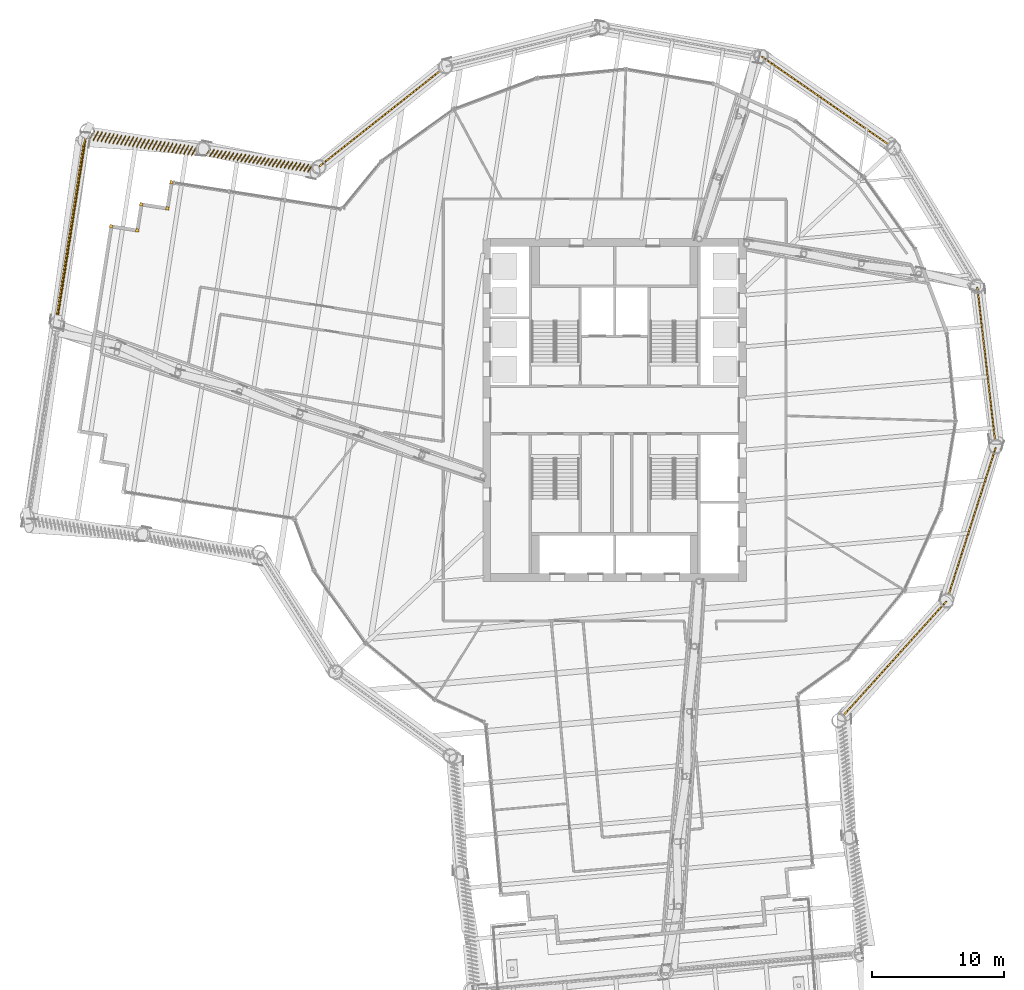
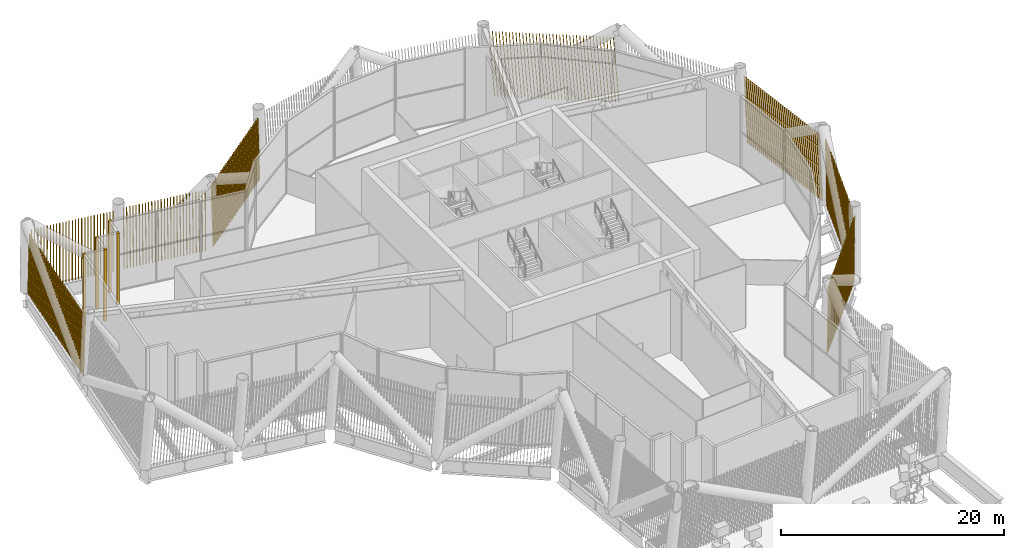
# One storey, part 52 of 55: 13 shading devices.
"""IFC4 building model written with IfcOpenShell, lengths in metres."""

from ifc_helpers import new_model, si_unit, direction, frame, frame_2d, origin, origin_2d, place, context, subcontext, project, spatial, rectangle, composite_profile, extrude, material, type_object, element, save


model = new_model("IFC4")

# Units and contexts
model_context = context("Model", 3, precision=1e-05, world=origin(), true_north=direction((0.0, 1.0)))
body_context = subcontext(model_context, "Body", "Model", "MODEL_VIEW")
ifc_project = project(units=[si_unit("LENGTHUNIT", "METRE"), si_unit("AREAUNIT", "SQUARE_METRE"), si_unit("VOLUMEUNIT", "CUBIC_METRE"), si_unit("PLANEANGLEUNIT", "RADIAN"), si_unit("MASSUNIT", "GRAM", prefix="KILO")], contexts=[model_context])

# Site, building, storey
site_placement = place(None, origin())
site = spatial("IfcSite", under=ifc_project, at=site_placement, CompositionType="ELEMENT")
building_placement = place(site_placement, origin())
building = spatial("IfcBuilding", under=site, at=building_placement, Name="Tarsis Ring Headquarters", CompositionType="ELEMENT")
storey_placement = place(building_placement, frame((0.0, 0.0, 247.199951171875)))
storey = spatial("IfcBuildingStorey", under=building, at=storey_placement, Name="L58", CompositionType="ELEMENT", Elevation=247.199951171875)

# Shading devices
ifc_material = material(Name="Terracotta baguette", Category="masonry")
shading_device_type_1 = type_object("IfcShadingDeviceType", Name="Terracotta baguette screen", PredefinedType="USERDEFINED", material=ifc_material)
shading_device_1_placement = place(storey_placement, frame((17.306640625, -23.203857421875, 0.0), z_axis=(0.0, 0.0, 1.0), x_axis=(0.670153659172, 0.742208525046, 0.0)))
element("IfcShadingDevice", 1, at=shading_device_1_placement, inside=storey, type_object=shading_device_type_1, Name="Baguette screen L58-07", ObjectType="Terracotta baguette screen", PredefinedType="USERDEFINED", context=body_context, shape_type="SweptSolid", body=[
    extrude(composite_profile([rectangle(XDim=0.06005859375, YDim=0.1201171875, at=frame_2d((0.030029296875, 0.0))), rectangle(XDim=0.06005859375, YDim=0.1201171875, at=frame_2d((0.33251953125, 0.0))), rectangle(XDim=0.06005859375, YDim=0.1201171875, at=frame_2d((0.634765625, 0.0))), rectangle(XDim=0.06005859375, YDim=0.1201171875, at=frame_2d((0.937255859375, 0.0))), rectangle(XDim=0.06005859375, YDim=0.1201171875, at=frame_2d((1.239501953125, 0.0))), rectangle(XDim=0.06005859375, YDim=0.1201171875, at=frame_2d((1.5419921875, 0.0))), rectangle(XDim=0.06005859375, YDim=0.1201171875, at=frame_2d((1.844482421875, 0.0))), rectangle(XDim=0.06005859375, YDim=0.1201171875, at=frame_2d((2.146728515625, 0.0))), rectangle(XDim=0.06005859375, YDim=0.1201171875, at=frame_2d((2.44921875, 0.0))), rectangle(XDim=0.06005859375, YDim=0.1201171875, at=frame_2d((2.751708984375, 0.0))), rectangle(XDim=0.06005859375, YDim=0.1201171875, at=frame_2d((3.053955078125, 0.0))), rectangle(XDim=0.06005859375, YDim=0.1201171875, at=frame_2d((3.3564453125, 0.0))), rectangle(XDim=0.06005859375, YDim=0.1201171875, at=frame_2d((3.65869140625, 0.0))), rectangle(XDim=0.06005859375, YDim=0.1201171875, at=frame_2d((3.961181640625, 0.0))), rectangle(XDim=0.06005859375, YDim=0.1201171875, at=frame_2d((4.263671875, 0.0))), rectangle(XDim=0.06005859375, YDim=0.1201171875, at=frame_2d((4.56591796875, 0.0))), rectangle(XDim=0.06005859375, YDim=0.1201171875, at=frame_2d((4.868408203125, 0.0))), rectangle(XDim=0.06005859375, YDim=0.1201171875, at=frame_2d((5.1708984375, 0.0))), rectangle(XDim=0.06005859375, YDim=0.1201171875, at=frame_2d((5.47314453125, 0.0))), rectangle(XDim=0.06005859375, YDim=0.1201171875, at=frame_2d((5.775634765625, 0.0))), rectangle(XDim=0.06005859375, YDim=0.1201171875, at=frame_2d((6.077880859375, 0.0))), rectangle(XDim=0.06005859375, YDim=0.1201171875, at=frame_2d((6.38037109375, 0.0))), rectangle(XDim=0.06005859375, YDim=0.1201171875, at=frame_2d((6.682861328125, 0.0))), rectangle(XDim=0.06005859375, YDim=0.1201171875, at=frame_2d((6.985107421875, 0.0))), rectangle(XDim=0.06005859375, YDim=0.1201171875, at=frame_2d((7.28759765625, 0.0))), rectangle(XDim=0.06005859375, YDim=0.1201171875, at=frame_2d((7.590087890625, 0.0))), rectangle(XDim=0.06005859375, YDim=0.1201171875, at=frame_2d((7.892333984375, 0.0))), rectangle(XDim=0.06005859375, YDim=0.1201171875, at=frame_2d((8.19482421875, 0.0))), rectangle(XDim=0.06005859375, YDim=0.1201171875, at=frame_2d((8.4970703125, 0.0))), rectangle(XDim=0.06005859375, YDim=0.1201171875, at=frame_2d((8.799560546875, 0.0))), rectangle(XDim=0.06005859375, YDim=0.1201171875, at=frame_2d((9.10205078125, 0.0))), rectangle(XDim=0.06005859375, YDim=0.1201171875, at=frame_2d((9.404296875, 0.0))), rectangle(XDim=0.06005859375, YDim=0.1201171875, at=frame_2d((9.706787109375, 0.0))), rectangle(XDim=0.06005859375, YDim=0.1201171875, at=frame_2d((10.00927734375, 0.0))), rectangle(XDim=0.06005859375, YDim=0.1201171875, at=frame_2d((10.3115234375, 0.0))), rectangle(XDim=0.06005859375, YDim=0.1201171875, at=frame_2d((10.614013671875, 0.0))), rectangle(XDim=0.06005859375, YDim=0.1201171875, at=frame_2d((10.916259765625, 0.0))), rectangle(XDim=0.06005859375, YDim=0.1201171875, at=frame_2d((11.21875, 0.0)))]), origin(), (0.06994358039, 0.000611198067, 0.997550761615), 7.085205078125),
])
shading_device_2_placement = place(storey_placement, frame((25.33251953125, -14.00732421875, 0.0), z_axis=(0.0, 0.0, 1.0), x_axis=(0.304633749322, 0.952468800868, 0.0)))
element("IfcShadingDevice", 2, at=shading_device_2_placement, inside=storey, type_object=shading_device_type_1, Name="Baguette screen L58-08", ObjectType="Terracotta baguette screen", PredefinedType="USERDEFINED", context=body_context, shape_type="SweptSolid", body=[
    extrude(composite_profile([rectangle(XDim=0.06005859375, YDim=0.1201171875, at=frame_2d((0.030029296875, 0.0))), rectangle(XDim=0.06005859375, YDim=0.1201171875, at=frame_2d((0.33251953125, 0.0))), rectangle(XDim=0.06005859375, YDim=0.1201171875, at=frame_2d((0.634765625, 0.0))), rectangle(XDim=0.06005859375, YDim=0.1201171875, at=frame_2d((0.937255859375, 0.0))), rectangle(XDim=0.06005859375, YDim=0.1201171875, at=frame_2d((1.239501953125, 0.0))), rectangle(XDim=0.06005859375, YDim=0.1201171875, at=frame_2d((1.5419921875, 0.0))), rectangle(XDim=0.06005859375, YDim=0.1201171875, at=frame_2d((1.844482421875, 0.0))), rectangle(XDim=0.06005859375, YDim=0.1201171875, at=frame_2d((2.146728515625, 0.0))), rectangle(XDim=0.06005859375, YDim=0.1201171875, at=frame_2d((2.44921875, 0.0))), rectangle(XDim=0.06005859375, YDim=0.1201171875, at=frame_2d((2.751708984375, 0.0))), rectangle(XDim=0.06005859375, YDim=0.1201171875, at=frame_2d((3.053955078125, 0.0))), rectangle(XDim=0.06005859375, YDim=0.1201171875, at=frame_2d((3.3564453125, 0.0))), rectangle(XDim=0.06005859375, YDim=0.1201171875, at=frame_2d((3.65869140625, 0.0))), rectangle(XDim=0.06005859375, YDim=0.1201171875, at=frame_2d((3.961181640625, 0.0))), rectangle(XDim=0.06005859375, YDim=0.1201171875, at=frame_2d((4.263671875, 0.0))), rectangle(XDim=0.06005859375, YDim=0.1201171875, at=frame_2d((4.56591796875, 0.0))), rectangle(XDim=0.06005859375, YDim=0.1201171875, at=frame_2d((4.868408203125, 0.0))), rectangle(XDim=0.06005859375, YDim=0.1201171875, at=frame_2d((5.1708984375, 0.0))), rectangle(XDim=0.06005859375, YDim=0.1201171875, at=frame_2d((5.47314453125, 0.0))), rectangle(XDim=0.06005859375, YDim=0.1201171875, at=frame_2d((5.775634765625, 0.0))), rectangle(XDim=0.06005859375, YDim=0.1201171875, at=frame_2d((6.077880859375, 0.0))), rectangle(XDim=0.06005859375, YDim=0.1201171875, at=frame_2d((6.38037109375, 0.0))), rectangle(XDim=0.06005859375, YDim=0.1201171875, at=frame_2d((6.682861328125, 0.0))), rectangle(XDim=0.06005859375, YDim=0.1201171875, at=frame_2d((6.985107421875, 0.0))), rectangle(XDim=0.06005859375, YDim=0.1201171875, at=frame_2d((7.28759765625, 0.0))), rectangle(XDim=0.06005859375, YDim=0.1201171875, at=frame_2d((7.590087890625, 0.0))), rectangle(XDim=0.06005859375, YDim=0.1201171875, at=frame_2d((7.892333984375, 0.0))), rectangle(XDim=0.06005859375, YDim=0.1201171875, at=frame_2d((8.19482421875, 0.0))), rectangle(XDim=0.06005859375, YDim=0.1201171875, at=frame_2d((8.4970703125, 0.0))), rectangle(XDim=0.06005859375, YDim=0.1201171875, at=frame_2d((8.799560546875, 0.0))), rectangle(XDim=0.06005859375, YDim=0.1201171875, at=frame_2d((9.10205078125, 0.0))), rectangle(XDim=0.06005859375, YDim=0.1201171875, at=frame_2d((9.404296875, 0.0))), rectangle(XDim=0.06005859375, YDim=0.1201171875, at=frame_2d((9.706787109375, 0.0))), rectangle(XDim=0.06005859375, YDim=0.1201171875, at=frame_2d((10.00927734375, 0.0))), rectangle(XDim=0.06005859375, YDim=0.1201171875, at=frame_2d((10.3115234375, 0.0))), rectangle(XDim=0.06005859375, YDim=0.1201171875, at=frame_2d((10.614013671875, 0.0))), rectangle(XDim=0.06005859375, YDim=0.1201171875, at=frame_2d((10.916259765625, 0.0))), rectangle(XDim=0.06005859375, YDim=0.1201171875, at=frame_2d((11.21875, 0.0)))]), origin(), (0.069944200062, 0.000610165969, 0.997550718798), 7.085205078125),
])
shading_device_3_placement = place(storey_placement, frame((28.85400390625, -2.3203125, 0.0), z_axis=(0.0, 0.0, 1.0), x_axis=(-0.115029842648, 0.993358654368, 0.0)))
element("IfcShadingDevice", 3, at=shading_device_3_placement, inside=storey, type_object=shading_device_type_1, Name="Baguette screen L58-09", ObjectType="Terracotta baguette screen", PredefinedType="USERDEFINED", context=body_context, shape_type="SweptSolid", body=[
    extrude(composite_profile([rectangle(XDim=0.06005859375, YDim=0.1201171875, at=frame_2d((0.030029296875, 0.0))), rectangle(XDim=0.06005859375, YDim=0.1201171875, at=frame_2d((0.33251953125, 0.0))), rectangle(XDim=0.06005859375, YDim=0.1201171875, at=frame_2d((0.634765625, 0.0))), rectangle(XDim=0.06005859375, YDim=0.1201171875, at=frame_2d((0.937255859375, 0.0))), rectangle(XDim=0.06005859375, YDim=0.1201171875, at=frame_2d((1.239501953125, 0.0))), rectangle(XDim=0.06005859375, YDim=0.1201171875, at=frame_2d((1.5419921875, 0.0))), rectangle(XDim=0.06005859375, YDim=0.1201171875, at=frame_2d((1.844482421875, 0.0))), rectangle(XDim=0.06005859375, YDim=0.1201171875, at=frame_2d((2.146728515625, 0.0))), rectangle(XDim=0.06005859375, YDim=0.1201171875, at=frame_2d((2.44921875, 0.0))), rectangle(XDim=0.06005859375, YDim=0.1201171875, at=frame_2d((2.751708984375, 0.0))), rectangle(XDim=0.06005859375, YDim=0.1201171875, at=frame_2d((3.053955078125, 0.0))), rectangle(XDim=0.06005859375, YDim=0.1201171875, at=frame_2d((3.3564453125, 0.0))), rectangle(XDim=0.06005859375, YDim=0.1201171875, at=frame_2d((3.65869140625, 0.0))), rectangle(XDim=0.06005859375, YDim=0.1201171875, at=frame_2d((3.961181640625, 0.0))), rectangle(XDim=0.06005859375, YDim=0.1201171875, at=frame_2d((4.263671875, 0.0))), rectangle(XDim=0.06005859375, YDim=0.1201171875, at=frame_2d((4.56591796875, 0.0))), rectangle(XDim=0.06005859375, YDim=0.1201171875, at=frame_2d((4.868408203125, 0.0))), rectangle(XDim=0.06005859375, YDim=0.1201171875, at=frame_2d((5.1708984375, 0.0))), rectangle(XDim=0.06005859375, YDim=0.1201171875, at=frame_2d((5.47314453125, 0.0))), rectangle(XDim=0.06005859375, YDim=0.1201171875, at=frame_2d((5.775634765625, 0.0))), rectangle(XDim=0.06005859375, YDim=0.1201171875, at=frame_2d((6.077880859375, 0.0))), rectangle(XDim=0.06005859375, YDim=0.1201171875, at=frame_2d((6.38037109375, 0.0))), rectangle(XDim=0.06005859375, YDim=0.1201171875, at=frame_2d((6.682861328125, 0.0))), rectangle(XDim=0.06005859375, YDim=0.1201171875, at=frame_2d((6.985107421875, 0.0))), rectangle(XDim=0.06005859375, YDim=0.1201171875, at=frame_2d((7.28759765625, 0.0))), rectangle(XDim=0.06005859375, YDim=0.1201171875, at=frame_2d((7.590087890625, 0.0))), rectangle(XDim=0.06005859375, YDim=0.1201171875, at=frame_2d((7.892333984375, 0.0))), rectangle(XDim=0.06005859375, YDim=0.1201171875, at=frame_2d((8.19482421875, 0.0))), rectangle(XDim=0.06005859375, YDim=0.1201171875, at=frame_2d((8.4970703125, 0.0))), rectangle(XDim=0.06005859375, YDim=0.1201171875, at=frame_2d((8.799560546875, 0.0))), rectangle(XDim=0.06005859375, YDim=0.1201171875, at=frame_2d((9.10205078125, 0.0))), rectangle(XDim=0.06005859375, YDim=0.1201171875, at=frame_2d((9.404296875, 0.0))), rectangle(XDim=0.06005859375, YDim=0.1201171875, at=frame_2d((9.706787109375, 0.0))), rectangle(XDim=0.06005859375, YDim=0.1201171875, at=frame_2d((10.00927734375, 0.0))), rectangle(XDim=0.06005859375, YDim=0.1201171875, at=frame_2d((10.3115234375, 0.0))), rectangle(XDim=0.06005859375, YDim=0.1201171875, at=frame_2d((10.614013671875, 0.0))), rectangle(XDim=0.06005859375, YDim=0.1201171875, at=frame_2d((10.916259765625, 0.0))), rectangle(XDim=0.06005859375, YDim=0.1201171875, at=frame_2d((11.21875, 0.0)))]), origin(), (0.069943903573, 0.00061144422, 0.997550738804), 7.085205078125),
])
shading_device_4_placement = place(storey_placement, frame((20.792236328125, 20.14013671875, 0.0), z_axis=(0.0, 0.0, 1.0), x_axis=(-0.822054865874, 0.569407066586, 0.0)))
element("IfcShadingDevice", 4, at=shading_device_4_placement, inside=storey, type_object=shading_device_type_1, Name="Baguette screen L58-11", ObjectType="Terracotta baguette screen", PredefinedType="USERDEFINED", context=body_context, shape_type="SweptSolid", body=[
    extrude(composite_profile([rectangle(XDim=0.06005859375, YDim=0.1201171875, at=frame_2d((0.030029296875, 0.0))), rectangle(XDim=0.06005859375, YDim=0.1201171875, at=frame_2d((0.33251953125, 0.0))), rectangle(XDim=0.06005859375, YDim=0.1201171875, at=frame_2d((0.634765625, 0.0))), rectangle(XDim=0.06005859375, YDim=0.1201171875, at=frame_2d((0.937255859375, 0.0))), rectangle(XDim=0.06005859375, YDim=0.1201171875, at=frame_2d((1.239501953125, 0.0))), rectangle(XDim=0.06005859375, YDim=0.1201171875, at=frame_2d((1.5419921875, 0.0))), rectangle(XDim=0.06005859375, YDim=0.1201171875, at=frame_2d((1.844482421875, 0.0))), rectangle(XDim=0.06005859375, YDim=0.1201171875, at=frame_2d((2.146728515625, 0.0))), rectangle(XDim=0.06005859375, YDim=0.1201171875, at=frame_2d((2.44921875, 0.0))), rectangle(XDim=0.06005859375, YDim=0.1201171875, at=frame_2d((2.751708984375, 0.0))), rectangle(XDim=0.06005859375, YDim=0.1201171875, at=frame_2d((3.053955078125, 0.0))), rectangle(XDim=0.06005859375, YDim=0.1201171875, at=frame_2d((3.3564453125, 0.0))), rectangle(XDim=0.06005859375, YDim=0.1201171875, at=frame_2d((3.65869140625, 0.0))), rectangle(XDim=0.06005859375, YDim=0.1201171875, at=frame_2d((3.961181640625, 0.0))), rectangle(XDim=0.06005859375, YDim=0.1201171875, at=frame_2d((4.263671875, 0.0))), rectangle(XDim=0.06005859375, YDim=0.1201171875, at=frame_2d((4.56591796875, 0.0))), rectangle(XDim=0.06005859375, YDim=0.1201171875, at=frame_2d((4.868408203125, 0.0))), rectangle(XDim=0.06005859375, YDim=0.1201171875, at=frame_2d((5.1708984375, 0.0))), rectangle(XDim=0.06005859375, YDim=0.1201171875, at=frame_2d((5.47314453125, 0.0))), rectangle(XDim=0.06005859375, YDim=0.1201171875, at=frame_2d((5.775634765625, 0.0))), rectangle(XDim=0.06005859375, YDim=0.1201171875, at=frame_2d((6.077880859375, 0.0))), rectangle(XDim=0.06005859375, YDim=0.1201171875, at=frame_2d((6.38037109375, 0.0))), rectangle(XDim=0.06005859375, YDim=0.1201171875, at=frame_2d((6.682861328125, 0.0))), rectangle(XDim=0.06005859375, YDim=0.1201171875, at=frame_2d((6.985107421875, 0.0))), rectangle(XDim=0.06005859375, YDim=0.1201171875, at=frame_2d((7.28759765625, 0.0))), rectangle(XDim=0.06005859375, YDim=0.1201171875, at=frame_2d((7.590087890625, 0.0))), rectangle(XDim=0.06005859375, YDim=0.1201171875, at=frame_2d((7.892333984375, 0.0))), rectangle(XDim=0.06005859375, YDim=0.1201171875, at=frame_2d((8.19482421875, 0.0))), rectangle(XDim=0.06005859375, YDim=0.1201171875, at=frame_2d((8.4970703125, 0.0))), rectangle(XDim=0.06005859375, YDim=0.1201171875, at=frame_2d((8.799560546875, 0.0))), rectangle(XDim=0.06005859375, YDim=0.1201171875, at=frame_2d((9.10205078125, 0.0))), rectangle(XDim=0.06005859375, YDim=0.1201171875, at=frame_2d((9.404296875, 0.0))), rectangle(XDim=0.06005859375, YDim=0.1201171875, at=frame_2d((9.706787109375, 0.0))), rectangle(XDim=0.06005859375, YDim=0.1201171875, at=frame_2d((10.00927734375, 0.0))), rectangle(XDim=0.06005859375, YDim=0.1201171875, at=frame_2d((10.3115234375, 0.0))), rectangle(XDim=0.06005859375, YDim=0.1201171875, at=frame_2d((10.614013671875, 0.0))), rectangle(XDim=0.06005859375, YDim=0.1201171875, at=frame_2d((10.916259765625, 0.0))), rectangle(XDim=0.06005859375, YDim=0.1201171875, at=frame_2d((11.21875, 0.0)))]), origin(), (0.069944178932, 0.000610629777, 0.997550719996), 7.085205078125),
])
shading_device_5_placement = place(storey_placement, frame((-13.193359375, 25.765869140625, 0.0), z_axis=(0.0, 0.0, 1.0), x_axis=(-0.784573313656, -0.620040802153, 0.0)))
element("IfcShadingDevice", 5, at=shading_device_5_placement, inside=storey, type_object=shading_device_type_1, Name="Baguette screen L58-14", ObjectType="Terracotta baguette screen", PredefinedType="USERDEFINED", context=body_context, shape_type="SweptSolid", body=[
    extrude(composite_profile([rectangle(XDim=0.06005859375, YDim=0.1201171875, at=frame_2d((0.030029296875, 0.0))), rectangle(XDim=0.06005859375, YDim=0.1201171875, at=frame_2d((0.33251953125, 0.0))), rectangle(XDim=0.06005859375, YDim=0.1201171875, at=frame_2d((0.634765625, 0.0))), rectangle(XDim=0.06005859375, YDim=0.1201171875, at=frame_2d((0.937255859375, 0.0))), rectangle(XDim=0.06005859375, YDim=0.1201171875, at=frame_2d((1.239501953125, 0.0))), rectangle(XDim=0.06005859375, YDim=0.1201171875, at=frame_2d((1.5419921875, 0.0))), rectangle(XDim=0.06005859375, YDim=0.1201171875, at=frame_2d((1.844482421875, 0.0))), rectangle(XDim=0.06005859375, YDim=0.1201171875, at=frame_2d((2.146728515625, 0.0))), rectangle(XDim=0.06005859375, YDim=0.1201171875, at=frame_2d((2.44921875, 0.0))), rectangle(XDim=0.06005859375, YDim=0.1201171875, at=frame_2d((2.751708984375, 0.0))), rectangle(XDim=0.06005859375, YDim=0.1201171875, at=frame_2d((3.053955078125, 0.0))), rectangle(XDim=0.06005859375, YDim=0.1201171875, at=frame_2d((3.3564453125, 0.0))), rectangle(XDim=0.06005859375, YDim=0.1201171875, at=frame_2d((3.65869140625, 0.0))), rectangle(XDim=0.06005859375, YDim=0.1201171875, at=frame_2d((3.961181640625, 0.0))), rectangle(XDim=0.06005859375, YDim=0.1201171875, at=frame_2d((4.263671875, 0.0))), rectangle(XDim=0.06005859375, YDim=0.1201171875, at=frame_2d((4.56591796875, 0.0))), rectangle(XDim=0.06005859375, YDim=0.1201171875, at=frame_2d((4.868408203125, 0.0))), rectangle(XDim=0.06005859375, YDim=0.1201171875, at=frame_2d((5.1708984375, 0.0))), rectangle(XDim=0.06005859375, YDim=0.1201171875, at=frame_2d((5.47314453125, 0.0))), rectangle(XDim=0.06005859375, YDim=0.1201171875, at=frame_2d((5.775634765625, 0.0))), rectangle(XDim=0.06005859375, YDim=0.1201171875, at=frame_2d((6.077880859375, 0.0))), rectangle(XDim=0.06005859375, YDim=0.1201171875, at=frame_2d((6.38037109375, 0.0))), rectangle(XDim=0.06005859375, YDim=0.1201171875, at=frame_2d((6.682861328125, 0.0))), rectangle(XDim=0.06005859375, YDim=0.1201171875, at=frame_2d((6.985107421875, 0.0))), rectangle(XDim=0.06005859375, YDim=0.1201171875, at=frame_2d((7.28759765625, 0.0))), rectangle(XDim=0.06005859375, YDim=0.1201171875, at=frame_2d((7.590087890625, 0.0))), rectangle(XDim=0.06005859375, YDim=0.1201171875, at=frame_2d((7.892333984375, 0.0))), rectangle(XDim=0.06005859375, YDim=0.1201171875, at=frame_2d((8.19482421875, 0.0))), rectangle(XDim=0.06005859375, YDim=0.1201171875, at=frame_2d((8.4970703125, 0.0))), rectangle(XDim=0.06005859375, YDim=0.1201171875, at=frame_2d((8.799560546875, 0.0))), rectangle(XDim=0.06005859375, YDim=0.1201171875, at=frame_2d((9.10205078125, 0.0))), rectangle(XDim=0.06005859375, YDim=0.1201171875, at=frame_2d((9.404296875, 0.0))), rectangle(XDim=0.06005859375, YDim=0.1201171875, at=frame_2d((9.706787109375, 0.0))), rectangle(XDim=0.06005859375, YDim=0.1201171875, at=frame_2d((10.00927734375, 0.0))), rectangle(XDim=0.06005859375, YDim=0.1201171875, at=frame_2d((10.3115234375, 0.0))), rectangle(XDim=0.06005859375, YDim=0.1201171875, at=frame_2d((10.614013671875, 0.0))), rectangle(XDim=0.06005859375, YDim=0.1201171875, at=frame_2d((10.916259765625, 0.0))), rectangle(XDim=0.06005859375, YDim=0.1201171875, at=frame_2d((11.21875, 0.0)))]), origin(), (0.069944575479, 0.000610071454, 0.997550692533), 7.085205078125),
])
shading_device_6_placement = place(storey_placement, frame((-22.9052734375, 18.558349609375, 0.0), z_axis=(0.0, 0.0, 1.0), x_axis=(-0.9880128522, 0.154349975284, 0.0)))
element("IfcShadingDevice", 6, at=shading_device_6_placement, inside=storey, type_object=shading_device_type_1, Name="Baguette screen L58-15", ObjectType="Terracotta baguette screen", PredefinedType="USERDEFINED", context=body_context, shape_type="SweptSolid", body=[
    extrude(composite_profile([rectangle(XDim=0.06005859375, YDim=0.1201171875, at=frame_2d((0.030029296875, 0.0))), rectangle(XDim=0.06005859375, YDim=0.1201171875, at=frame_2d((0.33154296875, 0.0))), rectangle(XDim=0.06005859375, YDim=0.1201171875, at=frame_2d((0.63330078125, 0.0))), rectangle(XDim=0.06005859375, YDim=0.1201171875, at=frame_2d((0.934814453125, 0.0))), rectangle(XDim=0.06005859375, YDim=0.1201171875, at=frame_2d((1.236572265625, 0.0))), rectangle(XDim=0.06005859375, YDim=0.1201171875, at=frame_2d((1.5380859375, 0.0))), rectangle(XDim=0.06005859375, YDim=0.1201171875, at=frame_2d((1.83984375, 0.0))), rectangle(XDim=0.06005859375, YDim=0.1201171875, at=frame_2d((2.141357421875, 0.0))), rectangle(XDim=0.06005859375, YDim=0.1201171875, at=frame_2d((2.443115234375, 0.0))), rectangle(XDim=0.06005859375, YDim=0.1201171875, at=frame_2d((2.74462890625, 0.0))), rectangle(XDim=0.06005859375, YDim=0.1201171875, at=frame_2d((3.04638671875, 0.0))), rectangle(XDim=0.06005859375, YDim=0.1201171875, at=frame_2d((3.347900390625, 0.0))), rectangle(XDim=0.06005859375, YDim=0.1201171875, at=frame_2d((3.649658203125, 0.0))), rectangle(XDim=0.06005859375, YDim=0.1201171875, at=frame_2d((3.951171875, 0.0))), rectangle(XDim=0.06005859375, YDim=0.1201171875, at=frame_2d((4.252685546875, 0.0))), rectangle(XDim=0.06005859375, YDim=0.1201171875, at=frame_2d((4.554443359375, 0.0))), rectangle(XDim=0.06005859375, YDim=0.1201171875, at=frame_2d((4.85595703125, 0.0))), rectangle(XDim=0.06005859375, YDim=0.1201171875, at=frame_2d((5.15771484375, 0.0))), rectangle(XDim=0.06005859375, YDim=0.1201171875, at=frame_2d((5.459228515625, 0.0))), rectangle(XDim=0.06005859375, YDim=0.1201171875, at=frame_2d((5.760986328125, 0.0))), rectangle(XDim=0.06005859375, YDim=0.1201171875, at=frame_2d((6.0625, 0.0))), rectangle(XDim=0.06005859375, YDim=0.1201171875, at=frame_2d((6.3642578125, 0.0))), rectangle(XDim=0.06005859375, YDim=0.1201171875, at=frame_2d((6.665771484375, 0.0))), rectangle(XDim=0.06005859375, YDim=0.1201171875, at=frame_2d((6.967529296875, 0.0))), rectangle(XDim=0.06005859375, YDim=0.1201171875, at=frame_2d((7.26904296875, 0.0))), rectangle(XDim=0.06005859375, YDim=0.1201171875, at=frame_2d((7.57080078125, 0.0))), rectangle(XDim=0.06005859375, YDim=0.1201171875, at=frame_2d((7.872314453125, 0.0)))]), origin(), (0.035793271927, 0.072788855802, 0.99670488318), 7.09130859375),
])
shading_device_7_placement = place(storey_placement, frame((-31.700927734375, 19.932373046875, 0.0), z_axis=(0.0, 0.0, 1.0), x_axis=(-0.988012481849, 0.154385639695, 0.0)))
element("IfcShadingDevice", 7, at=shading_device_7_placement, inside=storey, type_object=shading_device_type_1, Name="Baguette screen L58-16", ObjectType="Terracotta baguette screen", PredefinedType="USERDEFINED", context=body_context, shape_type="SweptSolid", body=[
    extrude(composite_profile([rectangle(XDim=0.06005859375, YDim=0.1201171875, at=frame_2d((0.030029296875, 0.0))), rectangle(XDim=0.06005859375, YDim=0.1201171875, at=frame_2d((0.33154296875, 0.0))), rectangle(XDim=0.06005859375, YDim=0.1201171875, at=frame_2d((0.63330078125, 0.0))), rectangle(XDim=0.06005859375, YDim=0.1201171875, at=frame_2d((0.934814453125, 0.0))), rectangle(XDim=0.06005859375, YDim=0.1201171875, at=frame_2d((1.236572265625, 0.0))), rectangle(XDim=0.06005859375, YDim=0.1201171875, at=frame_2d((1.5380859375, 0.0))), rectangle(XDim=0.06005859375, YDim=0.1201171875, at=frame_2d((1.83984375, 0.0))), rectangle(XDim=0.06005859375, YDim=0.1201171875, at=frame_2d((2.141357421875, 0.0))), rectangle(XDim=0.06005859375, YDim=0.1201171875, at=frame_2d((2.443115234375, 0.0))), rectangle(XDim=0.06005859375, YDim=0.1201171875, at=frame_2d((2.74462890625, 0.0))), rectangle(XDim=0.06005859375, YDim=0.1201171875, at=frame_2d((3.04638671875, 0.0))), rectangle(XDim=0.06005859375, YDim=0.1201171875, at=frame_2d((3.347900390625, 0.0))), rectangle(XDim=0.06005859375, YDim=0.1201171875, at=frame_2d((3.649658203125, 0.0))), rectangle(XDim=0.06005859375, YDim=0.1201171875, at=frame_2d((3.951171875, 0.0))), rectangle(XDim=0.06005859375, YDim=0.1201171875, at=frame_2d((4.252685546875, 0.0))), rectangle(XDim=0.06005859375, YDim=0.1201171875, at=frame_2d((4.554443359375, 0.0))), rectangle(XDim=0.06005859375, YDim=0.1201171875, at=frame_2d((4.85595703125, 0.0))), rectangle(XDim=0.06005859375, YDim=0.1201171875, at=frame_2d((5.15771484375, 0.0))), rectangle(XDim=0.06005859375, YDim=0.1201171875, at=frame_2d((5.459228515625, 0.0))), rectangle(XDim=0.06005859375, YDim=0.1201171875, at=frame_2d((5.760986328125, 0.0))), rectangle(XDim=0.06005859375, YDim=0.1201171875, at=frame_2d((6.0625, 0.0))), rectangle(XDim=0.06005859375, YDim=0.1201171875, at=frame_2d((6.3642578125, 0.0))), rectangle(XDim=0.06005859375, YDim=0.1201171875, at=frame_2d((6.665771484375, 0.0))), rectangle(XDim=0.06005859375, YDim=0.1201171875, at=frame_2d((6.967529296875, 0.0))), rectangle(XDim=0.06005859375, YDim=0.1201171875, at=frame_2d((7.26904296875, 0.0))), rectangle(XDim=0.06005859375, YDim=0.1201171875, at=frame_2d((7.57080078125, 0.0))), rectangle(XDim=0.06005859375, YDim=0.1201171875, at=frame_2d((7.872314453125, 0.0)))]), origin(), (0.035534271557, 0.094527444491, 0.994887871965), 7.104248046875),
])
shading_device_8_placement = place(storey_placement, frame((-40.07958984375, 20.7353515625, 0.0), z_axis=(0.0, 0.0, 1.0), x_axis=(-0.154359210247, -0.988022786781, 0.0)))
element("IfcShadingDevice", 8, at=shading_device_8_placement, inside=storey, type_object=shading_device_type_1, Name="Baguette screen L58-17", ObjectType="Terracotta baguette screen", PredefinedType="USERDEFINED", context=body_context, shape_type="SweptSolid", body=[
    extrude(composite_profile([rectangle(XDim=0.06005859375, YDim=0.1201171875, at=frame_2d((0.030029296875, 0.0))), rectangle(XDim=0.06005859375, YDim=0.1201171875, at=frame_2d((0.33544921875, 0.0))), rectangle(XDim=0.06005859375, YDim=0.1201171875, at=frame_2d((0.640625, 0.0))), rectangle(XDim=0.06005859375, YDim=0.1201171875, at=frame_2d((0.946044921875, 0.0))), rectangle(XDim=0.06005859375, YDim=0.1201171875, at=frame_2d((1.25146484375, 0.0))), rectangle(XDim=0.06005859375, YDim=0.1201171875, at=frame_2d((1.556640625, 0.0))), rectangle(XDim=0.06005859375, YDim=0.1201171875, at=frame_2d((1.862060546875, 0.0))), rectangle(XDim=0.06005859375, YDim=0.1201171875, at=frame_2d((2.16748046875, 0.0))), rectangle(XDim=0.06005859375, YDim=0.1201171875, at=frame_2d((2.47265625, 0.0))), rectangle(XDim=0.06005859375, YDim=0.1201171875, at=frame_2d((2.778076171875, 0.0))), rectangle(XDim=0.06005859375, YDim=0.1201171875, at=frame_2d((3.08349609375, 0.0))), rectangle(XDim=0.06005859375, YDim=0.1201171875, at=frame_2d((3.388671875, 0.0))), rectangle(XDim=0.06005859375, YDim=0.1201171875, at=frame_2d((3.694091796875, 0.0))), rectangle(XDim=0.06005859375, YDim=0.1201171875, at=frame_2d((3.99951171875, 0.0))), rectangle(XDim=0.06005859375, YDim=0.1201171875, at=frame_2d((4.3046875, 0.0))), rectangle(XDim=0.06005859375, YDim=0.1201171875, at=frame_2d((4.610107421875, 0.0))), rectangle(XDim=0.06005859375, YDim=0.1201171875, at=frame_2d((4.91552734375, 0.0))), rectangle(XDim=0.06005859375, YDim=0.1201171875, at=frame_2d((5.220703125, 0.0))), rectangle(XDim=0.06005859375, YDim=0.1201171875, at=frame_2d((5.526123046875, 0.0))), rectangle(XDim=0.06005859375, YDim=0.1201171875, at=frame_2d((5.83154296875, 0.0))), rectangle(XDim=0.06005859375, YDim=0.1201171875, at=frame_2d((6.13671875, 0.0))), rectangle(XDim=0.06005859375, YDim=0.1201171875, at=frame_2d((6.442138671875, 0.0))), rectangle(XDim=0.06005859375, YDim=0.1201171875, at=frame_2d((6.74755859375, 0.0))), rectangle(XDim=0.06005859375, YDim=0.1201171875, at=frame_2d((7.052734375, 0.0))), rectangle(XDim=0.06005859375, YDim=0.1201171875, at=frame_2d((7.358154296875, 0.0))), rectangle(XDim=0.06005859375, YDim=0.1201171875, at=frame_2d((7.66357421875, 0.0))), rectangle(XDim=0.06005859375, YDim=0.1201171875, at=frame_2d((7.96875, 0.0))), rectangle(XDim=0.06005859375, YDim=0.1201171875, at=frame_2d((8.274169921875, 0.0))), rectangle(XDim=0.06005859375, YDim=0.1201171875, at=frame_2d((8.57958984375, 0.0))), rectangle(XDim=0.06005859375, YDim=0.1201171875, at=frame_2d((8.884765625, 0.0))), rectangle(XDim=0.06005859375, YDim=0.1201171875, at=frame_2d((9.190185546875, 0.0))), rectangle(XDim=0.06005859375, YDim=0.1201171875, at=frame_2d((9.49560546875, 0.0))), rectangle(XDim=0.06005859375, YDim=0.1201171875, at=frame_2d((9.80078125, 0.0))), rectangle(XDim=0.06005859375, YDim=0.1201171875, at=frame_2d((10.106201171875, 0.0))), rectangle(XDim=0.06005859375, YDim=0.1201171875, at=frame_2d((10.41162109375, 0.0))), rectangle(XDim=0.06005859375, YDim=0.1201171875, at=frame_2d((10.716796875, 0.0))), rectangle(XDim=0.06005859375, YDim=0.1201171875, at=frame_2d((11.022216796875, 0.0))), rectangle(XDim=0.06005859375, YDim=0.1201171875, at=frame_2d((11.32763671875, 0.0))), rectangle(XDim=0.06005859375, YDim=0.1201171875, at=frame_2d((11.6328125, 0.0))), rectangle(XDim=0.06005859375, YDim=0.1201171875, at=frame_2d((11.938232421875, 0.0))), rectangle(XDim=0.06005859375, YDim=0.1201171875, at=frame_2d((12.24365234375, 0.0))), rectangle(XDim=0.06005859375, YDim=0.1201171875, at=frame_2d((12.548828125, 0.0))), rectangle(XDim=0.06005859375, YDim=0.1201171875, at=frame_2d((12.854248046875, 0.0))), rectangle(XDim=0.06005859375, YDim=0.1201171875, at=frame_2d((13.15966796875, 0.0))), rectangle(XDim=0.06005859375, YDim=0.1201171875, at=frame_2d((13.46484375, 0.0))), rectangle(XDim=0.06005859375, YDim=0.1201171875, at=frame_2d((13.770263671875, 0.0)))]), origin(), (0.105240908294, -0.017252262118, 0.994297093767), 7.1083984375),
])
shading_device_type_2 = type_object("IfcShadingDeviceType", Name="Terracotta corner baguette 250x250", PredefinedType="USERDEFINED", material=ifc_material)
for number, where, z_axis, x_axis, name in (
    (9, (-33.61181640625, 17.2705078125, 0.0), (0.0, 0.0, 1.0), (-0.988013812385, 0.154365496586, 0.0), "Corner baguette L58-32"),
    (10, (-33.920654296875, 15.29443359375, 0.0), (0.0, 0.0, 1.0), (-0.154365479342, -0.988013815079, 0.0), "Corner baguette L58-33"),
    (11, (-35.896728515625, 15.603271484375, 0.0), (0.0, 0.0, 1.0), (-0.988013815079, 0.154365479342, 0.0), "Corner baguette L58-34"),
    (12, (-36.205322265625, 13.627197265625, 0.0), (0.0, 0.0, 1.0), (-0.154365065484, -0.98801387974, 0.0), "Corner baguette L58-35"),
    (13, (-38.181396484375, 13.93603515625, 0.0), (0.0, 0.0, 1.0), (-0.988013815079, 0.154365479342, 0.0), "Corner baguette L58-36"),
):
    element("IfcShadingDevice", number, at=place(storey_placement, frame(where, z_axis=z_axis, x_axis=x_axis)), inside=storey, type_object=shading_device_type_2, Name=name, ObjectType="Terracotta corner baguette", PredefinedType="USERDEFINED", context=body_context, shape_type="SweptSolid", body=[
        extrude(rectangle(XDim=0.25, YDim=0.25, at=origin_2d()), origin(), (0.0, 0.0, 1.0), 7.840087890625),
    ])

save(model, "model.ifc")
